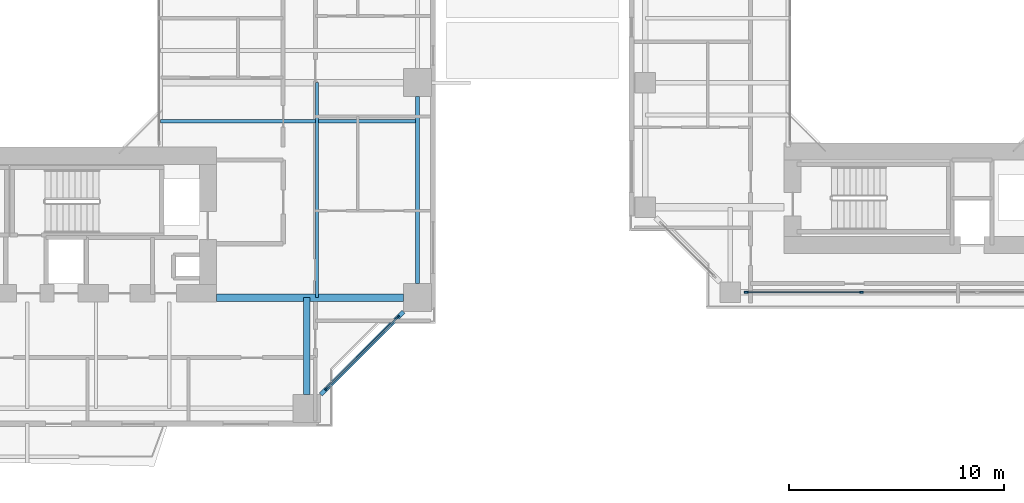
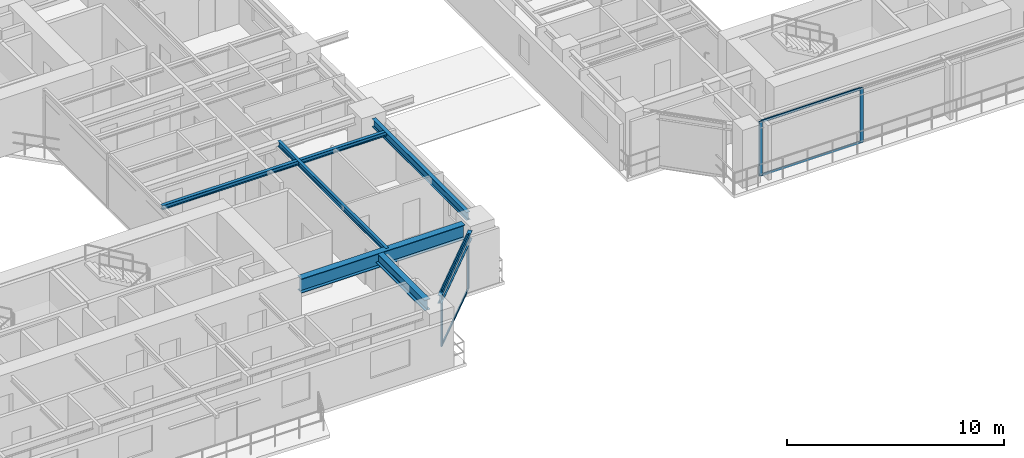
# One storey, part 5 of 23: 8 members, 6 beams, 2 elements without a shape of their own.
"""IFC4 building model written with IfcOpenShell, lengths in metres."""

from ifc_helpers import new_model, si_unit, direction, frame, origin, origin_2d, place, context, subcontext, project, spatial, rectangle, i_section, extrude, source, transform, mapped, material, layer, layer_set, material_profile, profile_set, type_object, element, aggregate, save


model = new_model("IFC4")

# Units and contexts
model_context = context("Model", 3, precision=1e-05, world=origin(), true_north=direction((0.0, 1.0)))
body_context = subcontext(model_context, "Body", "Model", "MODEL_VIEW")
ifc_project = project(units=[si_unit("LENGTHUNIT", "METRE"), si_unit("AREAUNIT", "SQUARE_METRE"), si_unit("VOLUMEUNIT", "CUBIC_METRE"), si_unit("PLANEANGLEUNIT", "RADIAN"), si_unit("MASSUNIT", "GRAM", prefix="KILO"), si_unit("THERMODYNAMICTEMPERATUREUNIT", "KELVIN"), si_unit("POWERUNIT", "WATT")], contexts=[model_context])

# Site, building, storey
site_placement = place(None, origin())
site = spatial("IfcSite", under=ifc_project, at=site_placement, CompositionType="ELEMENT")
building_placement = place(site_placement, origin())
building = spatial("IfcBuilding", under=site, at=building_placement, Name="Qiaomeng Ring Towers", CompositionType="ELEMENT")
storey_placement = place(building_placement, frame((0.0, 0.0, 50.25)))
storey = spatial("IfcBuildingStorey", under=building, at=storey_placement, Name="L13", CompositionType="ELEMENT", Elevation=50.25)

# Beams
ifc_material_1 = material(Name="Steel Q355B", Category="steel")
ifc_material_profile_1 = material_profile(ifc_material_1, i_section(OverallWidth=0.199951171875, OverallDepth=0.449951171875, WebThickness=0.009033203125, FlangeThickness=0.013916015625, FilletRadius=0.01806640625, at=origin_2d()), Name="HN 450x200x9x14")
ifc_profile_set_1 = profile_set([ifc_material_profile_1], Name="Steel Q355B")
beam_type_1 = type_object("IfcBeamType", Name="STR-BM-HN450", PredefinedType="SPANDREL", material=ifc_profile_set_1)
shared_shape_1 = source(origin(), body_context, "Body", "SweptSolid", [
    extrude(i_section(OverallWidth=0.199951171875, OverallDepth=0.449951171875, WebThickness=0.009033203125, FlangeThickness=0.013916015625, FilletRadius=0.01806640625, at=origin_2d()), origin(), (0.0, 0.0, 1.0), 5.446533203125),
])
beam_1_placement = place(storey_placement, frame((32.6494140625, 5.499267578125, 2.844970703125), z_axis=(0.707106781187, 0.707106781187, 0.0), x_axis=(-0.707106781187, 0.707106781187, 0.0)))
element("IfcBeam", 1, at=beam_1_placement, inside=storey, type_object=beam_type_1, Name="L13 beam STR-SP-L13-T1-S2-E1", PredefinedType="SPANDREL", context=body_context, shape_type="MappedRepresentation", body=[
    mapped(shared_shape_1, transform((0.0, 0.0, 0.0), x_axis=(1.0, 0.0, 0.0), y_axis=(0.0, 1.0, 0.0), z_axis=(0.0, 0.0, 1.0), scale=1.0)),
])
shared_shape_2 = source(origin(), body_context, "Body", "SweptSolid", [
    extrude(i_section(OverallWidth=0.199951171875, OverallDepth=0.449951171875, WebThickness=0.009033203125, FlangeThickness=0.013916015625, FilletRadius=0.01806640625, at=origin_2d()), origin(), (0.0, 0.0, 1.0), 8.7021484375),
])
beam_2_placement = place(storey_placement, frame((37.14990234375, 10.64892578125, 2.844970703125), z_axis=(0.0, 1.0, 0.0), x_axis=(-1.0, 0.0, 0.0)))
element("IfcBeam", 2, at=beam_2_placement, inside=storey, type_object=beam_type_1, Name="L13 beam STR-SP-L13-T1-E1-E2", PredefinedType="SPANDREL", context=body_context, shape_type="MappedRepresentation", body=[
    mapped(shared_shape_2, transform((0.0, 0.0, 0.0), x_axis=(1.0, 0.0, 0.0), y_axis=(0.0, 1.0, 0.0), z_axis=(0.0, 0.0, 1.0), scale=1.0)),
])
ifc_material_2 = material(Name="Steel Q390GJC", Category="steel")
ifc_material_profile_2 = material_profile(ifc_material_2, i_section(OverallWidth=0.35009765625, OverallDepth=0.800048828125, WebThickness=0.01611328125, FlangeThickness=0.028076171875, at=origin_2d()), Name="WH 800x350x16x28")
ifc_profile_set_2 = profile_set([ifc_material_profile_2], Name="Steel Q390GJC")
beam_type_2 = type_object("IfcBeamType", Name="STR-BM-WH800", PredefinedType="BEAM", material=ifc_profile_set_2)
shared_shape_3 = source(origin(), body_context, "Body", "SweptSolid", [
    extrude(i_section(OverallWidth=0.35009765625, OverallDepth=0.800048828125, WebThickness=0.01611328125, FlangeThickness=0.028076171875, at=origin_2d()), origin(), (0.0, 0.0, 1.0), 8.700927734375),
])
beam_3_placement = place(storey_placement, frame((27.800048828125, 10.0, 2.669921875), z_axis=(1.0, 0.0, 0.0), x_axis=(0.0, 1.0, 0.0)))
element("IfcBeam", 3, at=beam_3_placement, inside=storey, type_object=beam_type_2, Name="L13 beam STR-BM-L13-T1-RAD-E1", PredefinedType="BEAM", context=body_context, shape_type="MappedRepresentation", body=[
    mapped(shared_shape_3, transform((0.0, 0.0, 0.0), x_axis=(1.0, 0.0, 0.0), y_axis=(0.0, 1.0, 0.0), z_axis=(0.0, 0.0, 1.0), scale=1.0)),
])
ifc_material_profile_3 = material_profile(ifc_material_1, i_section(OverallWidth=0.300048828125, OverallDepth=0.587890625, WebThickness=0.011962890625, FlangeThickness=0.02001953125, FilletRadius=0.028076171875, at=origin_2d()), Name="HM 588x300x12x20")
ifc_profile_set_3 = profile_set([ifc_material_profile_3], Name="Steel Q355B")
beam_type_3 = type_object("IfcBeamType", Name="STR-BM-HM588", PredefinedType="BEAM", material=ifc_profile_set_3)
shared_shape_4 = source(origin(), body_context, "Body", "SweptSolid", [
    extrude(i_section(OverallWidth=0.300048828125, OverallDepth=0.587890625, WebThickness=0.011962890625, FlangeThickness=0.02001953125, FilletRadius=0.028076171875, at=origin_2d()), origin(), (0.0, 0.0, 1.0), 4.5009765625),
])
beam_4_placement = place(storey_placement, frame((32.0, 5.4990234375, 2.77587890625), z_axis=(0.0, 1.0, 0.0), x_axis=(-1.0, 0.0, 0.0)))
element("IfcBeam", 4, at=beam_4_placement, inside=storey, type_object=beam_type_3, Name="L13 beam STR-BM-L13-T1-RAD-S2", PredefinedType="BEAM", context=body_context, shape_type="MappedRepresentation", body=[
    mapped(shared_shape_4, transform((0.0, 0.0, 0.0), x_axis=(1.0, 0.0, 0.0), y_axis=(0.0, 1.0, 0.0), z_axis=(0.0, 0.0, 1.0), scale=1.0)),
])
ifc_material_profile_4 = material_profile(ifc_material_1, i_section(OverallWidth=0.175048828125, OverallDepth=0.243896484375, WebThickness=0.007080078125, FlangeThickness=0.010986328125, FilletRadius=0.01611328125, at=origin_2d()), Name="HM 244x175x7x11")
ifc_profile_set_4 = profile_set([ifc_material_profile_4], Name="Steel Q355B")
beam_type_4 = type_object("IfcBeamType", Name="STR-BM-HM244", PredefinedType="JOIST", material=ifc_profile_set_4)
shared_shape_5 = source(origin(), body_context, "Body", "SweptSolid", [
    extrude(i_section(OverallWidth=0.175048828125, OverallDepth=0.243896484375, WebThickness=0.007080078125, FlangeThickness=0.010986328125, FilletRadius=0.01611328125, at=origin_2d()), origin(), (0.0, 0.0, 1.0), 11.949951171875),
])
beam_5_placement = place(storey_placement, frame((25.199951171875, 18.199951171875, 2.947998046875), z_axis=(1.0, 0.0, 0.0), x_axis=(0.0, 1.0, 0.0)))
element("IfcBeam", 5, at=beam_5_placement, inside=storey, type_object=beam_type_4, Name="L13 beam STR-JST-L13-T1E-1", PredefinedType="JOIST", context=body_context, shape_type="MappedRepresentation", body=[
    mapped(shared_shape_5, transform((0.0, 0.0, 0.0), x_axis=(1.0, 0.0, 0.0), y_axis=(0.0, 1.0, 0.0), z_axis=(0.0, 0.0, 1.0), scale=1.0)),
])
ifc_material_profile_5 = material_profile(ifc_material_1, i_section(OverallWidth=0.14990234375, OverallDepth=0.300048828125, WebThickness=0.006591796875, FlangeThickness=0.009033203125, FilletRadius=0.012939453125, at=origin_2d()), Name="HN 300x150x6.5x9")
ifc_profile_set_5 = profile_set([ifc_material_profile_5], Name="Steel Q355B")
beam_type_5 = type_object("IfcBeamType", Name="STR-BM-HN300", PredefinedType="JOIST", material=ifc_profile_set_5)
shared_shape_6 = source(origin(), body_context, "Body", "SweptSolid", [
    extrude(i_section(OverallWidth=0.14990234375, OverallDepth=0.300048828125, WebThickness=0.006591796875, FlangeThickness=0.009033203125, FilletRadius=0.012939453125, at=origin_2d()), origin(), (0.0, 0.0, 1.0), 10.0),
])
beam_6_placement = place(storey_placement, frame((32.47509765625, 10.0, 2.919921875), z_axis=(0.0, 1.0, 0.0), x_axis=(-1.0, 0.0, 0.0)))
element("IfcBeam", 6, at=beam_6_placement, inside=storey, type_object=beam_type_5, Name="L13 beam STR-JST-L13-T1C-ES", PredefinedType="JOIST", context=body_context, shape_type="MappedRepresentation", body=[
    mapped(shared_shape_6, transform((0.0, 0.0, 0.0), x_axis=(1.0, 0.0, 0.0), y_axis=(0.0, 1.0, 0.0), z_axis=(0.0, 0.0, 1.0), scale=1.0)),
])

# Curtain wall, members
ifc_material_3 = material(Name="Fluorocarbon dark-grey aluminium", Category="aluminium")
ifc_layer_1 = layer(ifc_material_3, 0.159912109375, Name="Fluorocarbon dark-grey aluminium")
ifc_layer_set_1 = layer_set([ifc_layer_1], Name="Fluorocarbon dark-grey aluminium")
curtain_wall_type_1 = type_object("IfcCurtainWallType", Name="ARC-CW-2", PredefinedType="NOTDEFINED", material=ifc_layer_set_1)
curtain_wall_1_placement = place(storey_placement, origin())
curtain_wall_1 = element("IfcCurtainWall", 7, at=curtain_wall_1_placement, inside=storey, type_object=curtain_wall_type_1, Name="L13 Curtain Wall CW2", PredefinedType="NOTDEFINED")
ifc_material_profile_6 = material_profile(ifc_material_3, rectangle(XDim=0.070068359375, YDim=0.179931640625, at=origin_2d()), Name="ALU MULL 70x180")
ifc_profile_set_6 = profile_set([ifc_material_profile_6], Name="Fluorocarbon dark-grey aluminium")
member_type_1 = type_object("IfcMemberType", Name="ARC-CWM-160", PredefinedType="MULLION", material=ifc_profile_set_6)
shared_shape_7 = source(origin(), body_context, "Body", "SweptSolid", [
    extrude(rectangle(XDim=0.070068359375, YDim=0.179931640625, at=origin_2d()), origin(), (0.0, 0.0, 1.0), 3.070068359375),
])
member_1_placement = place(storey_placement, frame((32.914794921875, 5.7646484375, 0.0), z_axis=(0.0, 0.0, 1.0), x_axis=(-0.707106781187, 0.707106781187, 0.0)))
member_1 = element("IfcMember", 8, at=member_1_placement, type_object=member_type_1, Name="CW2 mullion 1", PredefinedType="MULLION", context=body_context, shape_type="MappedRepresentation", body=[
    mapped(shared_shape_7, transform((0.0, 0.0, 0.0), x_axis=(1.0, 0.0, 0.0), y_axis=(0.0, 1.0, 0.0), z_axis=(0.0, 0.0, 1.0), scale=1.0)),
])
member_2_placement = place(storey_placement, frame((36.2353515625, 9.085205078125, 0.0), z_axis=(0.0, 0.0, 1.0), x_axis=(-0.707106781187, 0.707106781187, 0.0)))
member_2 = element("IfcMember", 9, at=member_2_placement, type_object=member_type_1, Name="CW2 mullion 2", PredefinedType="MULLION", context=body_context, shape_type="MappedRepresentation", body=[
    mapped(shared_shape_7, transform((0.0, 0.0, 0.0), x_axis=(1.0, 0.0, 0.0), y_axis=(0.0, 1.0, 0.0), z_axis=(0.0, 0.0, 1.0), scale=1.0)),
])

ifc_layer_2 = layer(ifc_material_3, 0.14990234375, Name="Fluorocarbon dark-grey aluminium")
ifc_layer_set_2 = layer_set([ifc_layer_2], Name="Fluorocarbon dark-grey aluminium")
curtain_wall_type_2 = type_object("IfcCurtainWallType", Name="ARC-CW-5", PredefinedType="NOTDEFINED", material=ifc_layer_set_2)
curtain_wall_2_placement = place(storey_placement, origin())
curtain_wall_2 = element("IfcCurtainWall", 10, at=curtain_wall_2_placement, inside=storey, type_object=curtain_wall_type_2, Name="L13 Curtain Wall CW5", PredefinedType="NOTDEFINED")
member_3_placement = place(storey_placement, frame((52.449951171875, 10.25, 0.0), z_axis=(0.0, 0.0, 1.0), x_axis=(0.0, 1.0, 0.0)))
member_3 = element("IfcMember", 11, at=member_3_placement, type_object=member_type_1, Name="CW5 mullion 1", PredefinedType="MULLION", context=body_context, shape_type="MappedRepresentation", body=[
    mapped(shared_shape_7, transform((0.0, 0.0, 0.0), x_axis=(1.0, 0.0, 0.0), y_axis=(0.0, 1.0, 0.0), z_axis=(0.0, 0.0, 1.0), scale=1.0)),
])
member_4_placement = place(storey_placement, frame((57.804931640625, 10.25, 0.0), z_axis=(0.0, 0.0, 1.0), x_axis=(0.0, 1.0, 0.0)))
member_4 = element("IfcMember", 12, at=member_4_placement, type_object=member_type_1, Name="CW5 mullion 2", PredefinedType="MULLION", context=body_context, shape_type="MappedRepresentation", body=[
    mapped(shared_shape_7, transform((0.0, 0.0, 0.0), x_axis=(1.0, 0.0, 0.0), y_axis=(0.0, 1.0, 0.0), z_axis=(0.0, 0.0, 1.0), scale=1.0)),
])

# Member
ifc_material_profile_7 = material_profile(ifc_material_3, rectangle(XDim=0.06494140625, YDim=0.1298828125, at=origin_2d()), Name="ALU TRAN 65x130")
ifc_profile_set_7 = profile_set([ifc_material_profile_7], Name="Fluorocarbon dark-grey aluminium")
member_type_2 = type_object("IfcMemberType", Name="ARC-CWT-120", PredefinedType="USERDEFINED", material=ifc_profile_set_7)
shared_shape_8 = source(origin(), body_context, "Body", "SweptSolid", [
    extrude(rectangle(XDim=0.06494140625, YDim=0.1298828125, at=origin_2d()), origin(), (0.0, 0.0, 1.0), 4.6259765625),
])
member_5_placement = place(storey_placement, frame((32.939453125, 5.78955078125, 0.032470703125), z_axis=(0.707106781187, 0.707106781187, 0.0), x_axis=(-0.707106781187, 0.707106781187, 0.0)))
member_5 = element("IfcMember", 13, at=member_5_placement, type_object=member_type_2, Name="CW2 transom 1.1", ObjectType="TRANSOM", PredefinedType="USERDEFINED", context=body_context, shape_type="MappedRepresentation", body=[
    mapped(shared_shape_8, transform((0.0, 0.0, 0.0), x_axis=(1.0, 0.0, 0.0), y_axis=(0.0, 1.0, 0.0), z_axis=(0.0, 0.0, 1.0), scale=1.0)),
])

member_6_placement = place(storey_placement, frame((32.939453125, 5.78955078125, 3.03759765625), z_axis=(0.707106781187, 0.707106781187, 0.0), x_axis=(-0.707106781187, 0.707106781187, 0.0)))
member_6 = element("IfcMember", 14, at=member_6_placement, type_object=member_type_2, Name="CW2 transom 1.2", ObjectType="TRANSOM", PredefinedType="USERDEFINED", context=body_context, shape_type="MappedRepresentation", body=[
    mapped(shared_shape_8, transform((0.0, 0.0, 0.0), x_axis=(1.0, 0.0, 0.0), y_axis=(0.0, 1.0, 0.0), z_axis=(0.0, 0.0, 1.0), scale=1.0)),
])

aggregate(curtain_wall_1, [member_1, member_2, member_5, member_6])

shared_shape_9 = source(origin(), body_context, "Body", "SweptSolid", [
    extrude(rectangle(XDim=0.06494140625, YDim=0.1298828125, at=origin_2d()), origin(), (0.0, 0.0, 1.0), 5.284912109375),
])
member_7_placement = place(storey_placement, frame((52.485107421875, 10.25, 0.032470703125), z_axis=(1.0, 0.0, 0.0), x_axis=(0.0, 1.0, 0.0)))
member_7 = element("IfcMember", 15, at=member_7_placement, type_object=member_type_2, Name="CW5 transom 1.1", ObjectType="TRANSOM", PredefinedType="USERDEFINED", context=body_context, shape_type="MappedRepresentation", body=[
    mapped(shared_shape_9, transform((0.0, 0.0, 0.0), x_axis=(1.0, 0.0, 0.0), y_axis=(0.0, 1.0, 0.0), z_axis=(0.0, 0.0, 1.0), scale=1.0)),
])

member_8_placement = place(storey_placement, frame((52.485107421875, 10.25, 3.03759765625), z_axis=(1.0, 0.0, 0.0), x_axis=(0.0, 1.0, 0.0)))
member_8 = element("IfcMember", 16, at=member_8_placement, type_object=member_type_2, Name="CW5 transom 1.2", ObjectType="TRANSOM", PredefinedType="USERDEFINED", context=body_context, shape_type="MappedRepresentation", body=[
    mapped(shared_shape_9, transform((0.0, 0.0, 0.0), x_axis=(1.0, 0.0, 0.0), y_axis=(0.0, 1.0, 0.0), z_axis=(0.0, 0.0, 1.0), scale=1.0)),
])

aggregate(curtain_wall_2, [member_3, member_4, member_7, member_8])

save(model, "model.ifc")
